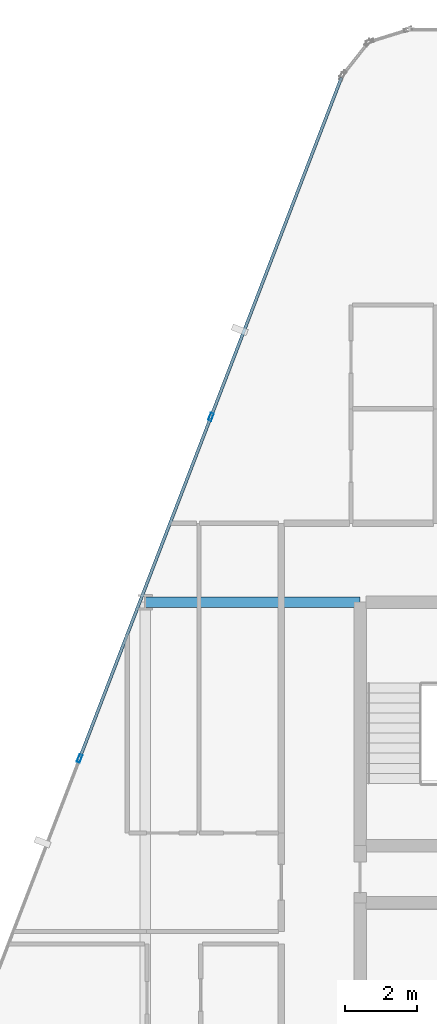
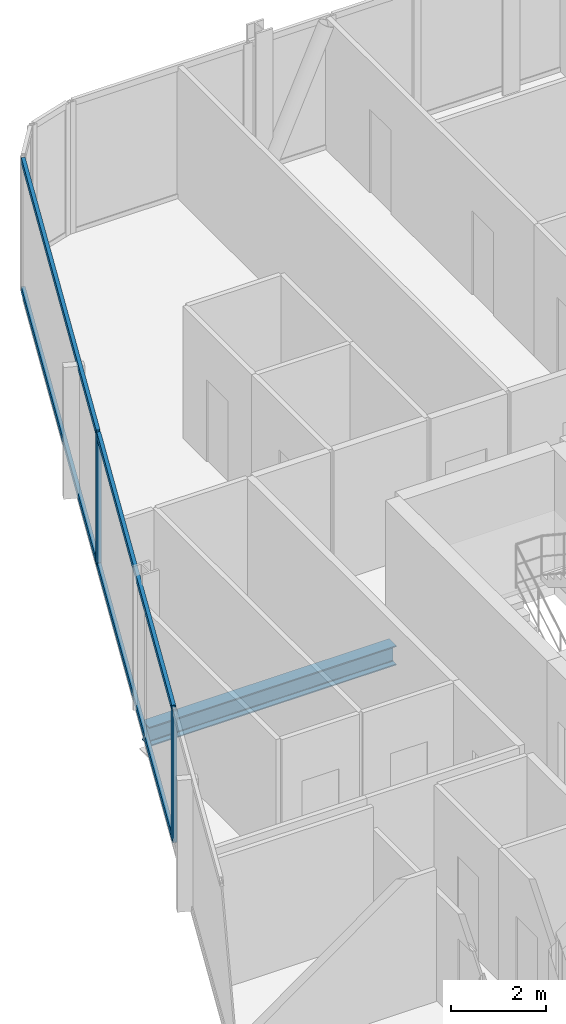
# One storey, part 11 of 34: 6 members, 1 beam, 1 element without a shape of its own.
"""IFC4 building model written with IfcOpenShell, lengths in metres."""

from ifc_helpers import new_model, si_unit, direction, frame, origin, origin_2d, place, context, subcontext, project, spatial, hollow_rectangle, i_section, extrude, material, layer, layer_set, material_profile, profile_set, type_object, element, aggregate, save


model = new_model("IFC4")

# Units and contexts
model_context = context("Model", 3, precision=1e-05, world=origin(), true_north=direction((0.0, 1.0)))
body_context = subcontext(model_context, "Body", "Model", "MODEL_VIEW")
ifc_project = project(units=[si_unit("LENGTHUNIT", "METRE"), si_unit("AREAUNIT", "SQUARE_METRE"), si_unit("VOLUMEUNIT", "CUBIC_METRE"), si_unit("PLANEANGLEUNIT", "RADIAN"), si_unit("MASSUNIT", "GRAM", prefix="KILO")], contexts=[model_context])

# Site, building, storey
site_placement = place(None, origin())
site = spatial("IfcSite", under=ifc_project, at=site_placement, CompositionType="ELEMENT")
building_placement = place(site_placement, origin())
building = spatial("IfcBuilding", under=site, at=building_placement, Name="Keshet Zoharim Tower", CompositionType="ELEMENT")
storey_placement = place(building_placement, frame((0.0, 0.0, 31.39990234375)))
storey = spatial("IfcBuildingStorey", under=building, at=storey_placement, Name="L06", CompositionType="ELEMENT", Elevation=31.39990234375)

# Beam
ifc_material_1 = material(Name="Steel S355", Category="steel")
ifc_material_profile_1 = material_profile(ifc_material_1, i_section(OverallWidth=0.300048828125, OverallDepth=0.5, WebThickness=0.014404296875, FlangeThickness=0.028076171875, FilletRadius=0.027099609375, at=origin_2d()), Name="HEB500")
ifc_profile_set_1 = profile_set([ifc_material_profile_1], Name="Steel S355")
beam_type = type_object("IfcBeamType", Name="BM-WEB-HB500", PredefinedType="BEAM", material=ifc_profile_set_1)
beam_placement = place(storey_placement, frame((9.0, 37.89990234375, -0.56494140625), z_axis=(1.0, 0.0, 0.0), x_axis=(0.0, 1.0, 0.0)))
element("IfcBeam", 1, at=beam_placement, inside=storey, type_object=beam_type, Name="L06 Primary Girder X-028", PredefinedType="BEAM", context=body_context, shape_type="SweptSolid", body=[
    extrude(i_section(OverallWidth=0.300048828125, OverallDepth=0.5, WebThickness=0.014404296875, FlangeThickness=0.028076171875, FilletRadius=0.027099609375, at=origin_2d()), origin(), (0.0, 0.0, 1.0), 6.0),
])

# Curtain wall, members
ifc_material_2 = material(Name="Aluminium 6063-T6", Category="aluminium")
ifc_layer = layer(ifc_material_2, 0.179931640625)
ifc_layer_set = layer_set([ifc_layer], Name="Aluminium 6063-T6")
curtain_wall_type = type_object("IfcCurtainWallType", Name="CW-SYS-01", PredefinedType="NOTDEFINED", material=ifc_layer_set)
curtain_wall_placement = place(storey_placement, origin())
curtain_wall = element("IfcCurtainWall", 2, at=curtain_wall_placement, inside=storey, type_object=curtain_wall_type, Name="L06 Unitised Curtain Wall 04", PredefinedType="NOTDEFINED")
ifc_material_profile_2 = material_profile(ifc_material_2, hollow_rectangle(XDim=0.090087890625, YDim=0.219970703125, WallThickness=0.0048828125, at=origin_2d()), Name="MUL-90x220")
ifc_profile_set_2 = profile_set([ifc_material_profile_2], Name="Aluminium 6063-T6")
member_type_1 = type_object("IfcMemberType", Name="CWM-M22", PredefinedType="MULLION", material=ifc_profile_set_2)
member_1_placement = place(storey_placement, frame((7.1669921875, 33.53466796875, 0.0), z_axis=(0.0, 0.0, 1.0), x_axis=(-0.933341404361, 0.358990003907, 0.0)))
member_1 = element("IfcMember", 3, at=member_1_placement, type_object=member_type_1, Name="CW-01 mullion 2", PredefinedType="MULLION", context=body_context, shape_type="SweptSolid", body=[
    extrude(hollow_rectangle(XDim=0.090087890625, YDim=0.219970703125, WallThickness=0.0048828125, at=origin_2d()), origin(), (0.0, 0.0, 1.0), 3.385009765625),
])
member_2_placement = place(storey_placement, frame((10.8369140625, 43.076416015625, 0.0), z_axis=(0.0, 0.0, 1.0), x_axis=(-0.933341404361, 0.358990003907, 0.0)))
member_2 = element("IfcMember", 4, at=member_2_placement, type_object=member_type_1, Name="CW-01 mullion 3", PredefinedType="MULLION", context=body_context, shape_type="SweptSolid", body=[
    extrude(hollow_rectangle(XDim=0.090087890625, YDim=0.219970703125, WallThickness=0.0048828125, at=origin_2d()), origin(), (0.0, 0.0, 1.0), 3.385009765625),
])
ifc_material_profile_3 = material_profile(ifc_material_2, hollow_rectangle(XDim=0.0849609375, YDim=0.159912109375, WallThickness=0.00439453125, at=origin_2d()), Name="TRN-85x160")
ifc_profile_set_3 = profile_set([ifc_material_profile_3], Name="Aluminium 6063-T6")
member_type_2 = type_object("IfcMemberType", Name="CWT-T16", PredefinedType="USERDEFINED", material=ifc_profile_set_3)
member_3_placement = place(storey_placement, frame((7.179443359375, 33.5673828125, 0.03515625), z_axis=(0.359003248899, 0.933336309848, 0.0), x_axis=(-0.933336309848, 0.359003248899, 0.0)))
member_3 = element("IfcMember", 5, at=member_3_placement, type_object=member_type_2, Name="CW-01 transom 2.1", ObjectType="TRANSOM", PredefinedType="USERDEFINED", context=body_context, shape_type="SweptSolid", body=[
    extrude(hollow_rectangle(XDim=0.0849609375, YDim=0.159912109375, WallThickness=0.00439453125, at=origin_2d()), origin(), (0.0, 0.0, 1.0), 10.153076171875),
])
member_4_placement = place(storey_placement, frame((7.179443359375, 33.5673828125, 3.35009765625), z_axis=(0.359003248899, 0.933336309848, 0.0), x_axis=(-0.933336309848, 0.359003248899, 0.0)))
member_4 = element("IfcMember", 6, at=member_4_placement, type_object=member_type_2, Name="CW-01 transom 2.2", ObjectType="TRANSOM", PredefinedType="USERDEFINED", context=body_context, shape_type="SweptSolid", body=[
    extrude(hollow_rectangle(XDim=0.0849609375, YDim=0.159912109375, WallThickness=0.00439453125, at=origin_2d()), origin(), (0.0, 0.0, 1.0), 10.153076171875),
])
member_5_placement = place(storey_placement, frame((10.849609375, 43.10888671875, 0.03515625), z_axis=(0.358985546764, 0.933343118694, 0.0), x_axis=(-0.933343118694, 0.358985546764, 0.0)))
member_5 = element("IfcMember", 7, at=member_5_placement, type_object=member_type_2, Name="CW-01 transom 3.1", ObjectType="TRANSOM", PredefinedType="USERDEFINED", context=body_context, shape_type="SweptSolid", body=[
    extrude(hollow_rectangle(XDim=0.0849609375, YDim=0.159912109375, WallThickness=0.00439453125, at=origin_2d()), origin(), (0.0, 0.0, 1.0), 10.118408203125),
])
member_6_placement = place(storey_placement, frame((10.849609375, 43.10888671875, 3.35009765625), z_axis=(0.358985546764, 0.933343118694, 0.0), x_axis=(-0.933343118694, 0.358985546764, 0.0)))
member_6 = element("IfcMember", 8, at=member_6_placement, type_object=member_type_2, Name="CW-01 transom 3.2", ObjectType="TRANSOM", PredefinedType="USERDEFINED", context=body_context, shape_type="SweptSolid", body=[
    extrude(hollow_rectangle(XDim=0.0849609375, YDim=0.159912109375, WallThickness=0.00439453125, at=origin_2d()), origin(), (0.0, 0.0, 1.0), 10.118408203125),
])
aggregate(curtain_wall, [member_1, member_2, member_3, member_4, member_5, member_6])

save(model, "model.ifc")
